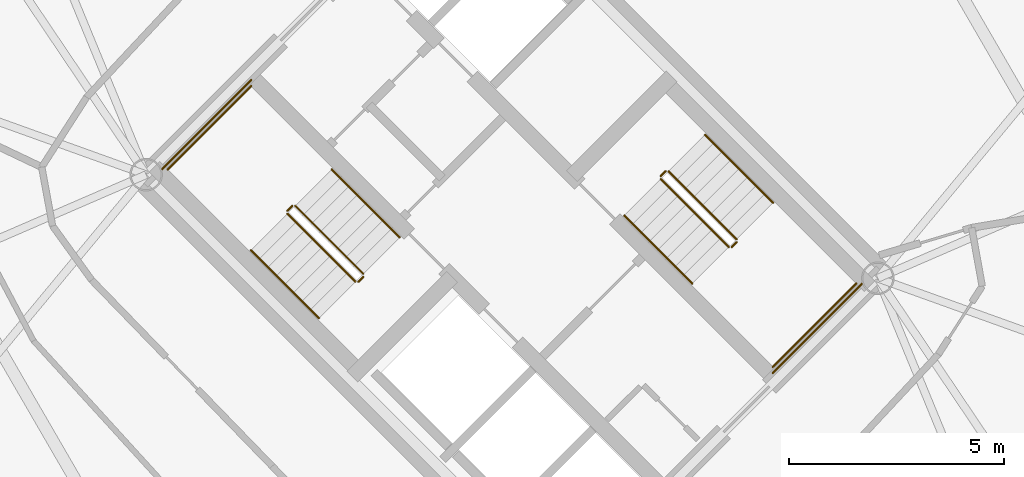
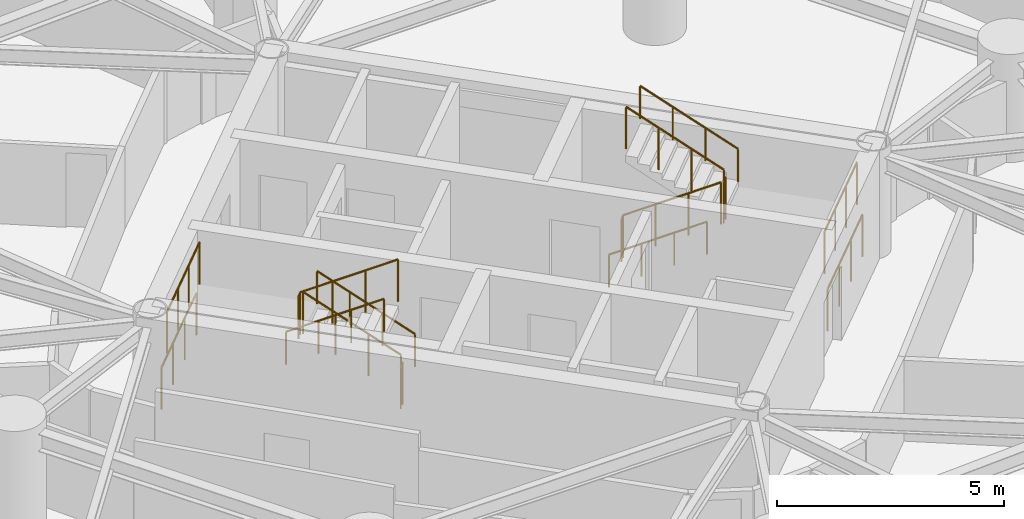
# One storey, part 16 of 17: 16 railings.
"""IFC4 building model written with IfcOpenShell, lengths in metres."""

from ifc_helpers import new_model, si_unit, direction, frame, origin, origin_2d, place, context, subcontext, project, spatial, circle, extrude, material, type_object, element, save


model = new_model("IFC4")

# Units and contexts
model_context = context("Model", 3, precision=1e-05, world=origin(), true_north=direction((0.0, 1.0)))
body_context = subcontext(model_context, "Body", "Model", "MODEL_VIEW")
ifc_project = project(units=[si_unit("LENGTHUNIT", "METRE"), si_unit("AREAUNIT", "SQUARE_METRE"), si_unit("VOLUMEUNIT", "CUBIC_METRE"), si_unit("PLANEANGLEUNIT", "RADIAN"), si_unit("MASSUNIT", "GRAM", prefix="KILO")], contexts=[model_context])

# Site, building, storey
site_placement = place(None, origin())
site = spatial("IfcSite", under=ifc_project, at=site_placement, CompositionType="ELEMENT")
building_placement = place(site_placement, origin())
building = spatial("IfcBuilding", under=site, at=building_placement, Name="Cununo Teusaquillo Station Towers", CompositionType="ELEMENT")
storey_placement = place(building_placement, frame((0.0, 0.0, 113.800048828125)))
storey = spatial("IfcBuildingStorey", under=building, at=storey_placement, Name="L36", CompositionType="ELEMENT", Elevation=113.800048828125)

# Railings
ifc_material_1 = material(Name="Steel EN 10025-2 S355J2", Category="steel")
railing_type_1 = type_object("IfcRailingType", Name="RL-INT-GUARD", PredefinedType="GUARDRAIL", material=ifc_material_1)
railing_1_placement = place(storey_placement, frame((54.03515625, 23.39697265625, 0.16162109375)))
element("IfcRailing", 1, at=railing_1_placement, inside=storey, type_object=railing_type_1, Name="L36 ST-T2-1 stair guard 1", PredefinedType="GUARDRAIL", context=body_context, shape_type="SweptSolid", body=[
    extrude(circle(Radius=0.02392578125, at=origin_2d()), frame((0.0, 0.0, 1.1259765625), z_axis=(-0.612361259024, 0.612361259024, 0.500027376144), x_axis=(-0.707106781187, -0.707106781187, 0.0)), (0.0, 0.0, 1.0), 2.586181640625),
    extrude(circle(Radius=0.02099609375, at=origin_2d()), origin(), (0.0, 0.0, 1.0), 1.101806640625),
    extrude(circle(Radius=0.02099609375, at=origin_2d()), frame((-0.52783203125, 0.52783203125, 0.43115234375)), (0.0, 0.0, 1.0), 1.101806640625),
    extrude(circle(Radius=0.02099609375, at=origin_2d()), frame((-1.055908203125, 1.055908203125, 0.862060546875)), (0.0, 0.0, 1.0), 1.101806640625),
    extrude(circle(Radius=0.02099609375, at=origin_2d()), frame((-1.583740234375, 1.583740234375, 1.293212890625)), (0.0, 0.0, 1.0), 1.101806640625),
])
railing_2_placement = place(storey_placement, frame((52.380615234375, 24.980712890625, 1.454833984375)))
element("IfcRailing", 2, at=railing_2_placement, inside=storey, type_object=railing_type_1, Name="L36 ST-T2-1 stair guard 2", PredefinedType="GUARDRAIL", context=body_context, shape_type="SweptSolid", body=[
    extrude(circle(Radius=0.02392578125, at=origin_2d()), frame((0.0, 0.0, 1.1259765625), z_axis=(-0.7078691598, -0.706343579714, 0.0), x_axis=(0.706343579714, -0.7078691598, 0.0)), (0.0, 0.0, 1.0), 0.159912109375),
    extrude(circle(Radius=0.02099609375, at=origin_2d()), origin(), (0.0, 0.0, 1.0), 1.101806640625),
    extrude(circle(Radius=0.02099609375, at=origin_2d()), frame((-0.11328125, -0.113037109375, 0.0)), (0.0, 0.0, 1.0), 1.101806640625),
])
railing_3_placement = place(storey_placement, frame((51.426025390625, 27.77392578125, 1.454833984375)))
element("IfcRailing", 3, at=railing_3_placement, inside=storey, type_object=railing_type_1, Name="L36 ST-T2-1 stair guard 3", PredefinedType="GUARDRAIL", context=body_context, shape_type="SweptSolid", body=[
    extrude(circle(Radius=0.02392578125, at=origin_2d()), frame((0.0, 0.0, 1.1259765625), z_axis=(-0.707106781187, -0.707106781187, 0.0), x_axis=(0.707106781187, -0.707106781187, 0.0)), (0.0, 0.0, 1.0), 2.760009765625),
    extrude(circle(Radius=0.02099609375, at=origin_2d()), origin(), (0.0, 0.0, 1.0), 1.101806640625),
    extrude(circle(Radius=0.02099609375, at=origin_2d()), frame((-0.650634765625, -0.650634765625, 0.0)), (0.0, 0.0, 1.0), 1.101806640625),
    extrude(circle(Radius=0.02099609375, at=origin_2d()), frame((-1.301025390625, -1.301025390625, 0.0)), (0.0, 0.0, 1.0), 1.101806640625),
    extrude(circle(Radius=0.02099609375, at=origin_2d()), frame((-1.95166015625, -1.95166015625, 0.0)), (0.0, 0.0, 1.0), 1.101806640625),
])
railing_4_placement = place(storey_placement, frame((52.267333984375, 24.796875, 1.61669921875)))
element("IfcRailing", 4, at=railing_4_placement, inside=storey, type_object=railing_type_1, Name="L36 ST-T2-1 stair guard 4", PredefinedType="GUARDRAIL", context=body_context, shape_type="SweptSolid", body=[
    extrude(circle(Radius=0.02392578125, at=origin_2d()), frame((0.0, 0.0, 1.1259765625), z_axis=(0.612420254088, -0.612325861324, 0.499998471934), x_axis=(0.707052281454, 0.707161276719, 0.0)), (0.0, 0.0, 1.0), 2.58642578125),
    extrude(circle(Radius=0.02099609375, at=origin_2d()), origin(), (0.0, 0.0, 1.0), 1.101806640625),
    extrude(circle(Radius=0.02099609375, at=origin_2d()), frame((0.528076171875, -0.52783203125, 0.43115234375)), (0.0, 0.0, 1.0), 1.101806640625),
    extrude(circle(Radius=0.02099609375, at=origin_2d()), frame((1.055908203125, -1.055908203125, 0.862060546875)), (0.0, 0.0, 1.0), 1.101806640625),
    extrude(circle(Radius=0.02099609375, at=origin_2d()), frame((1.583984375, -1.583740234375, 1.293212890625)), (0.0, 0.0, 1.0), 1.101806640625),
])
railing_5_placement = place(storey_placement, frame((54.03515625, 23.326171875, 0.0)))
element("IfcRailing", 5, at=railing_5_placement, inside=storey, type_object=railing_type_1, Name="L36 ST-T2-1 stair guard 5", PredefinedType="GUARDRAIL", context=body_context, shape_type="SweptSolid", body=[
    extrude(circle(Radius=0.02392578125, at=origin_2d()), frame((0.0, 0.0, 1.1259765625), z_axis=(-0.707106781187, -0.707106781187, 0.0), x_axis=(0.707106781187, -0.707106781187, 0.0)), (0.0, 0.0, 1.0), 0.159912109375),
    extrude(circle(Radius=0.02099609375, at=origin_2d()), origin(), (0.0, 0.0, 1.0), 1.101806640625),
    extrude(circle(Radius=0.02099609375, at=origin_2d()), frame((-0.113037109375, -0.113037109375, 0.0)), (0.0, 0.0, 1.0), 1.101806640625),
])
railing_6_placement = place(storey_placement, frame((51.426025390625, 27.915283203125, 0.0)))
element("IfcRailing", 6, at=railing_6_placement, inside=storey, type_object=railing_type_1, Name="L36 ST-T2-1 stair guard 6", PredefinedType="GUARDRAIL", context=body_context, shape_type="SweptSolid", body=[
    extrude(circle(Radius=0.02392578125, at=origin_2d()), frame((0.0, 0.0, 1.1259765625), z_axis=(-0.707106781187, -0.707106781187, 0.0), x_axis=(0.707106781187, -0.707106781187, 0.0)), (0.0, 0.0, 1.0), 2.9599609375),
    extrude(circle(Radius=0.02099609375, at=origin_2d()), origin(), (0.0, 0.0, 1.0), 1.101806640625),
    extrude(circle(Radius=0.02099609375, at=origin_2d()), frame((-0.69775390625, -0.69775390625, 0.0)), (0.0, 0.0, 1.0), 1.101806640625),
    extrude(circle(Radius=0.02099609375, at=origin_2d()), frame((-1.395263671875, -1.395263671875, 0.0)), (0.0, 0.0, 1.0), 1.101806640625),
    extrude(circle(Radius=0.02099609375, at=origin_2d()), frame((-2.093017578125, -2.093017578125, 0.0)), (0.0, 0.0, 1.0), 1.101806640625),
])
railing_7_placement = place(storey_placement, frame((60.96484375, 25.60302734375, 0.16162109375)))
element("IfcRailing", 7, at=railing_7_placement, inside=storey, type_object=railing_type_1, Name="L36 ST-T2-2 stair guard 1", PredefinedType="GUARDRAIL", context=body_context, shape_type="SweptSolid", body=[
    extrude(circle(Radius=0.02392578125, at=origin_2d()), frame((0.0, 0.0, 1.1259765625), z_axis=(0.612361259024, -0.612361259024, 0.500027376144), x_axis=(0.707106781187, 0.707106781187, 0.0)), (0.0, 0.0, 1.0), 2.586181640625),
    extrude(circle(Radius=0.02099609375, at=origin_2d()), origin(), (0.0, 0.0, 1.0), 1.101806640625),
    extrude(circle(Radius=0.02099609375, at=origin_2d()), frame((0.52783203125, -0.52783203125, 0.43115234375)), (0.0, 0.0, 1.0), 1.101806640625),
    extrude(circle(Radius=0.02099609375, at=origin_2d()), frame((1.055908203125, -1.055908203125, 0.862060546875)), (0.0, 0.0, 1.0), 1.101806640625),
    extrude(circle(Radius=0.02099609375, at=origin_2d()), frame((1.583740234375, -1.583740234375, 1.293212890625)), (0.0, 0.0, 1.0), 1.101806640625),
])
railing_8_placement = place(storey_placement, frame((62.619384765625, 24.019287109375, 1.454833984375)))
element("IfcRailing", 8, at=railing_8_placement, inside=storey, type_object=railing_type_1, Name="L36 ST-T2-2 stair guard 2", PredefinedType="GUARDRAIL", context=body_context, shape_type="SweptSolid", body=[
    extrude(circle(Radius=0.02392578125, at=origin_2d()), frame((0.0, 0.0, 1.1259765625), z_axis=(0.7078691598, 0.706343579714, 0.0), x_axis=(-0.706343579714, 0.7078691598, 0.0)), (0.0, 0.0, 1.0), 0.159912109375),
    extrude(circle(Radius=0.02099609375, at=origin_2d()), origin(), (0.0, 0.0, 1.0), 1.101806640625),
    extrude(circle(Radius=0.02099609375, at=origin_2d()), frame((0.11328125, 0.113037109375, 0.0)), (0.0, 0.0, 1.0), 1.101806640625),
])
railing_9_placement = place(storey_placement, frame((63.573974609375, 21.22607421875, 1.454833984375)))
element("IfcRailing", 9, at=railing_9_placement, inside=storey, type_object=railing_type_1, Name="L36 ST-T2-2 stair guard 3", PredefinedType="GUARDRAIL", context=body_context, shape_type="SweptSolid", body=[
    extrude(circle(Radius=0.02392578125, at=origin_2d()), frame((0.0, 0.0, 1.1259765625), z_axis=(0.707106781187, 0.707106781187, 0.0), x_axis=(-0.707106781187, 0.707106781187, 0.0)), (0.0, 0.0, 1.0), 2.760009765625),
    extrude(circle(Radius=0.02099609375, at=origin_2d()), origin(), (0.0, 0.0, 1.0), 1.101806640625),
    extrude(circle(Radius=0.02099609375, at=origin_2d()), frame((0.650634765625, 0.650634765625, 0.0)), (0.0, 0.0, 1.0), 1.101806640625),
    extrude(circle(Radius=0.02099609375, at=origin_2d()), frame((1.301025390625, 1.301025390625, 0.0)), (0.0, 0.0, 1.0), 1.101806640625),
    extrude(circle(Radius=0.02099609375, at=origin_2d()), frame((1.95166015625, 1.95166015625, 0.0)), (0.0, 0.0, 1.0), 1.101806640625),
])
railing_10_placement = place(storey_placement, frame((62.732666015625, 24.203125, 1.61669921875)))
element("IfcRailing", 10, at=railing_10_placement, inside=storey, type_object=railing_type_1, Name="L36 ST-T2-2 stair guard 4", PredefinedType="GUARDRAIL", context=body_context, shape_type="SweptSolid", body=[
    extrude(circle(Radius=0.02392578125, at=origin_2d()), frame((0.0, 0.0, 1.1259765625), z_axis=(-0.612420254088, 0.612325861324, 0.499998471934), x_axis=(-0.707052281454, -0.707161276719, 0.0)), (0.0, 0.0, 1.0), 2.58642578125),
    extrude(circle(Radius=0.02099609375, at=origin_2d()), origin(), (0.0, 0.0, 1.0), 1.101806640625),
    extrude(circle(Radius=0.02099609375, at=origin_2d()), frame((-0.528076171875, 0.52783203125, 0.43115234375)), (0.0, 0.0, 1.0), 1.101806640625),
    extrude(circle(Radius=0.02099609375, at=origin_2d()), frame((-1.055908203125, 1.055908203125, 0.862060546875)), (0.0, 0.0, 1.0), 1.101806640625),
    extrude(circle(Radius=0.02099609375, at=origin_2d()), frame((-1.583984375, 1.583740234375, 1.293212890625)), (0.0, 0.0, 1.0), 1.101806640625),
])
railing_11_placement = place(storey_placement, frame((60.96484375, 25.673828125, 0.0)))
element("IfcRailing", 11, at=railing_11_placement, inside=storey, type_object=railing_type_1, Name="L36 ST-T2-2 stair guard 5", PredefinedType="GUARDRAIL", context=body_context, shape_type="SweptSolid", body=[
    extrude(circle(Radius=0.02392578125, at=origin_2d()), frame((0.0, 0.0, 1.1259765625), z_axis=(0.707106781187, 0.707106781187, 0.0), x_axis=(-0.707106781187, 0.707106781187, 0.0)), (0.0, 0.0, 1.0), 0.159912109375),
    extrude(circle(Radius=0.02099609375, at=origin_2d()), origin(), (0.0, 0.0, 1.0), 1.101806640625),
    extrude(circle(Radius=0.02099609375, at=origin_2d()), frame((0.113037109375, 0.113037109375, 0.0)), (0.0, 0.0, 1.0), 1.101806640625),
])
railing_12_placement = place(storey_placement, frame((63.573974609375, 21.084716796875, 0.0)))
element("IfcRailing", 12, at=railing_12_placement, inside=storey, type_object=railing_type_1, Name="L36 ST-T2-2 stair guard 6", PredefinedType="GUARDRAIL", context=body_context, shape_type="SweptSolid", body=[
    extrude(circle(Radius=0.02392578125, at=origin_2d()), frame((0.0, 0.0, 1.1259765625), z_axis=(0.707106781187, 0.707106781187, 0.0), x_axis=(-0.707106781187, 0.707106781187, 0.0)), (0.0, 0.0, 1.0), 2.9599609375),
    extrude(circle(Radius=0.02099609375, at=origin_2d()), origin(), (0.0, 0.0, 1.0), 1.101806640625),
    extrude(circle(Radius=0.02099609375, at=origin_2d()), frame((0.69775390625, 0.69775390625, 0.0)), (0.0, 0.0, 1.0), 1.101806640625),
    extrude(circle(Radius=0.02099609375, at=origin_2d()), frame((1.395263671875, 1.395263671875, 0.0)), (0.0, 0.0, 1.0), 1.101806640625),
    extrude(circle(Radius=0.02099609375, at=origin_2d()), frame((2.093017578125, 2.093017578125, 0.0)), (0.0, 0.0, 1.0), 1.101806640625),
])
ifc_material_2 = material(Name="Steel EN 10025-2 S355J2", Category="steel")
railing_type_2 = type_object("IfcRailingType", Name="RL-INT-HRAIL", PredefinedType="HANDRAIL", material=ifc_material_2)
railing_13_placement = place(storey_placement, frame((54.8837890625, 24.245361328125, 0.16162109375)))
element("IfcRailing", 13, at=railing_13_placement, inside=storey, type_object=railing_type_2, Name="L36 ST-T2-1 stair handrail 1", PredefinedType="HANDRAIL", context=body_context, shape_type="SweptSolid", body=[
    extrude(circle(Radius=0.02392578125, at=origin_2d()), frame((0.0, 0.0, 0.8759765625), z_axis=(-0.612384857071, 0.612384857071, 0.499969572735), x_axis=(-0.707106781187, -0.707106781187, 0.0)), (0.0, 0.0, 1.0), 2.586669921875),
    extrude(circle(Radius=0.02099609375, at=origin_2d()), origin(), (0.0, 0.0, 1.0), 0.851806640625),
    extrude(circle(Radius=0.02099609375, at=origin_2d()), frame((-0.528076171875, 0.528076171875, 0.43115234375)), (0.0, 0.0, 1.0), 0.851806640625),
    extrude(circle(Radius=0.02099609375, at=origin_2d()), frame((-1.055908203125, 1.055908203125, 0.862060546875)), (0.0, 0.0, 1.0), 0.851806640625),
    extrude(circle(Radius=0.02099609375, at=origin_2d()), frame((-1.583984375, 1.583984375, 1.293212890625)), (0.0, 0.0, 1.0), 0.851806640625),
])
for number, where, name in (
    (14, (51.4189453125, 23.948486328125, 1.61669921875), "L36 ST-T2-1 stair handrail 2"),
    (15, (60.1162109375, 24.754638671875, 0.16162109375), "L36 ST-T2-2 stair handrail 1"),
):
    element("IfcRailing", number, at=place(storey_placement, frame(where)), inside=storey, type_object=railing_type_2, Name=name, PredefinedType="HANDRAIL", context=body_context, shape_type="SweptSolid", body=[
        extrude(circle(Radius=0.02392578125, at=origin_2d()), frame((0.0, 0.0, 0.8759765625), z_axis=(0.612384857071, -0.612384857071, 0.499969572735), x_axis=(0.707106781187, 0.707106781187, 0.0)), (0.0, 0.0, 1.0), 2.586669921875),
        extrude(circle(Radius=0.02099609375, at=origin_2d()), origin(), (0.0, 0.0, 1.0), 0.851806640625),
        extrude(circle(Radius=0.02099609375, at=origin_2d()), frame((0.528076171875, -0.528076171875, 0.43115234375)), (0.0, 0.0, 1.0), 0.851806640625),
        extrude(circle(Radius=0.02099609375, at=origin_2d()), frame((1.055908203125, -1.055908203125, 0.862060546875)), (0.0, 0.0, 1.0), 0.851806640625),
        extrude(circle(Radius=0.02099609375, at=origin_2d()), frame((1.583984375, -1.583984375, 1.293212890625)), (0.0, 0.0, 1.0), 0.851806640625),
    ])
railing_14_placement = place(storey_placement, frame((63.5810546875, 25.051513671875, 1.61669921875)))
element("IfcRailing", 16, at=railing_14_placement, inside=storey, type_object=railing_type_2, Name="L36 ST-T2-2 stair handrail 2", PredefinedType="HANDRAIL", context=body_context, shape_type="SweptSolid", body=[
    extrude(circle(Radius=0.02392578125, at=origin_2d()), frame((0.0, 0.0, 0.8759765625), z_axis=(-0.612384857071, 0.612384857071, 0.499969572735), x_axis=(-0.707106781187, -0.707106781187, 0.0)), (0.0, 0.0, 1.0), 2.586669921875),
    extrude(circle(Radius=0.02099609375, at=origin_2d()), origin(), (0.0, 0.0, 1.0), 0.851806640625),
    extrude(circle(Radius=0.02099609375, at=origin_2d()), frame((-0.528076171875, 0.528076171875, 0.43115234375)), (0.0, 0.0, 1.0), 0.851806640625),
    extrude(circle(Radius=0.02099609375, at=origin_2d()), frame((-1.055908203125, 1.055908203125, 0.862060546875)), (0.0, 0.0, 1.0), 0.851806640625),
    extrude(circle(Radius=0.02099609375, at=origin_2d()), frame((-1.583984375, 1.583984375, 1.293212890625)), (0.0, 0.0, 1.0), 0.851806640625),
])

save(model, "model.ifc")
